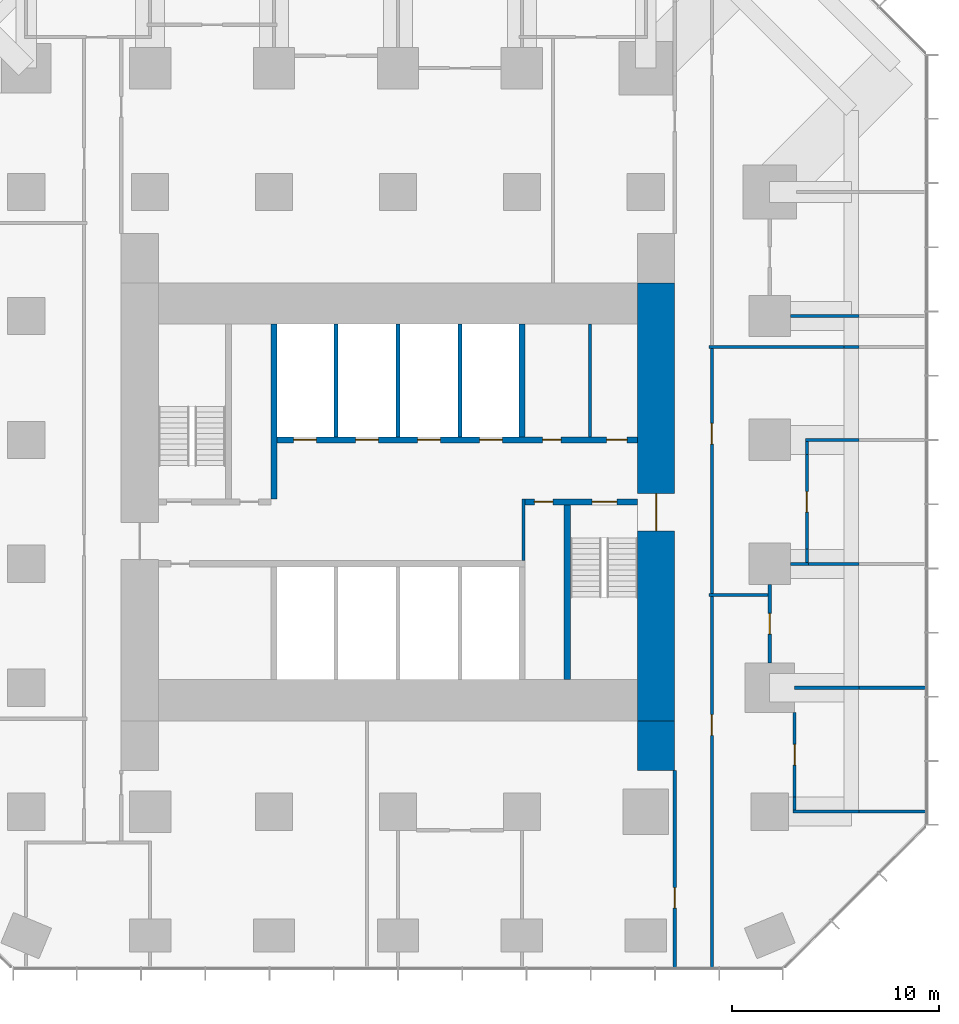
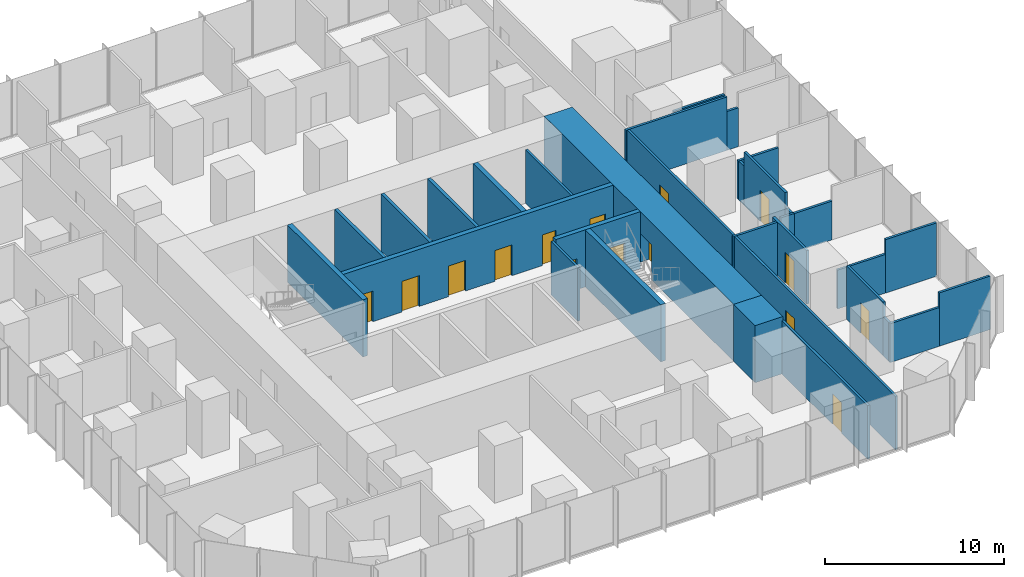
# One storey, part 9 of 12: 32 walls, 15 doors, 15 openings.
"""IFC4 building model written with IfcOpenShell, lengths in metres."""

from ifc_helpers import new_model, si_unit, direction, frame, frame_2d, origin, place, context, subcontext, project, spatial, rectangle, extrude, material, layer, layer_set, type_object, element, fill, save


model = new_model("IFC4")

# Units and contexts
model_context = context("Model", 3, precision=1e-05, world=origin(), true_north=direction((0.0, 1.0)))
body_context = subcontext(model_context, "Body", "Model", "MODEL_VIEW")
ifc_project = project(units=[si_unit("LENGTHUNIT", "METRE"), si_unit("AREAUNIT", "SQUARE_METRE"), si_unit("VOLUMEUNIT", "CUBIC_METRE"), si_unit("PLANEANGLEUNIT", "RADIAN"), si_unit("MASSUNIT", "GRAM", prefix="KILO")], contexts=[model_context])

# Site, building, storey
site_placement = place(None, origin())
site = spatial("IfcSite", under=ifc_project, at=site_placement, CompositionType="ELEMENT")
building_placement = place(site_placement, origin())
building = spatial("IfcBuilding", under=site, at=building_placement, Name="Highveld Stack Headquarters", CompositionType="ELEMENT")
storey_placement = place(building_placement, frame((0.0, 0.0, 80.60009765625)))
storey = spatial("IfcBuildingStorey", under=building, at=storey_placement, Name="L19", CompositionType="ELEMENT", Elevation=80.60009765625)

# Wall, opening, door
ifc_material_1 = material(Name="Concrete C60/75", Category="concrete")
ifc_layer_1 = layer(ifc_material_1, 1.800048828125)
ifc_layer_set_1 = layer_set([ifc_layer_1], Name="Concrete C60/75")
wall_type_1 = type_object("IfcWallType", Name="CORE WALL 1800 C60/75", PredefinedType="SHEAR", material=ifc_layer_set_1)
wall_1_placement = place(storey_placement, frame((18.5, -7.60009765625, 0.0), z_axis=(0.0, 0.0, 1.0), x_axis=(0.0, 1.0, 0.0)))
wall_1 = element("IfcWall", 1, at=wall_1_placement, inside=storey, type_object=wall_type_1, Name="Core wall E L19", PredefinedType="SHEAR", context=body_context, shape_type="SweptSolid", body=[
    extrude(rectangle(XDim=21.2001953125, YDim=1.800048828125, at=frame_2d((10.60009765625, 0.0))), origin(), (0.0, 0.0, 1.0), 3.89990234375),
])
opening_1_placement = place(wall_1_placement, frame((9.199951171875, 0.0, 0.0)))
opening_1 = element("IfcOpeningElement", 2, at=opening_1_placement, cuts=wall_1, Name="Opening L19-02", PredefinedType="OPENING", context=body_context, shape_type="SweptSolid", body=[
    extrude(rectangle(XDim=1.800048828125, YDim=2.39990234375, at=frame_2d((0.89990234375, 1.199951171875))), frame((0.0, 0.909912109375, 0.0), z_axis=(0.0, -1.0, 0.0), x_axis=(1.0, 0.0, 0.0)), (0.0, 0.0, 1.0), 1.820068359375),
])
ifc_material_2 = material(Name="Steel fire door", Category="steel")
door_type_1 = type_object("IfcDoorType", Name="LOBBY FIRE DOOR D4 1800x2400", OperationType="DOUBLE_DOOR_SINGLE_SWING", PredefinedType="DOOR", material=ifc_material_2)
door_1_placement = place(opening_1_placement, origin())
door_1 = element("IfcDoor", 3, at=door_1_placement, inside=storey, type_object=door_type_1, Name="Core east door L19", OperationType="DOUBLE_DOOR_SINGLE_SWING", OverallHeight=2.39990234375, OverallWidth=1.800048828125, PredefinedType="DOOR", context=body_context, shape_type="SweptSolid", body=[
    extrude(rectangle(XDim=1.800048828125, YDim=2.39990234375, at=frame_2d((0.89990234375, 1.199951171875))), frame((0.0, 0.02490234375, 0.0), z_axis=(0.0, -1.0, 0.0), x_axis=(1.0, 0.0, 0.0)), (0.0, 0.0, 1.0), 0.050048828125),
])
fill(opening_1, door_1)

# Wall, openings, doors
ifc_material_3 = material(Name="Concrete C60/75", Category="concrete")
ifc_layer_2 = layer(ifc_material_3, 0.300048828125)
ifc_layer_set_2 = layer_set([ifc_layer_2], Name="Concrete C60/75")
wall_type_2 = type_object("IfcWallType", Name="CORE WALL 300 C60/75", PredefinedType="SHEAR", material=ifc_layer_set_2)
wall_2_placement = place(storey_placement, frame((12.14990234375, 3.0, 0.0), z_axis=(0.0, 0.0, 1.0), x_axis=(1.0, 0.0, 0.0)))
wall_2 = element("IfcWall", 4, at=wall_2_placement, inside=storey, type_object=wall_type_2, Name="Core wall I-Y3E L19", PredefinedType="SHEAR", context=body_context, shape_type="SweptSolid", body=[
    extrude(rectangle(XDim=5.4501953125, YDim=0.300048828125, at=frame_2d((2.72509765625, 0.0))), origin(), (0.0, 0.0, 1.0), 3.89990234375),
])
opening_2_placement = place(wall_2_placement, frame((3.25, 0.0, 0.0)))
opening_2 = element("IfcOpeningElement", 5, at=opening_2_placement, cuts=wall_2, Name="Opening L19-05", PredefinedType="OPENING", context=body_context, shape_type="SweptSolid", body=[
    extrude(rectangle(XDim=1.199951171875, YDim=2.10009765625, at=frame_2d((0.60009765625, 1.050048828125))), frame((0.0, 0.159912109375, 0.0), z_axis=(0.0, -1.0, 0.0), x_axis=(1.0, 0.0, 0.0)), (0.0, 0.0, 1.0), 0.320068359375),
])
opening_3_placement = place(wall_2_placement, frame((0.449951171875, 0.0, 0.0)))
opening_3 = element("IfcOpeningElement", 6, at=opening_3_placement, cuts=wall_2, Name="Opening L19-06", PredefinedType="OPENING", context=body_context, shape_type="SweptSolid", body=[
    extrude(rectangle(XDim=0.89990234375, YDim=2.10009765625, at=frame_2d((0.449951171875, 1.050048828125))), frame((0.0, 0.159912109375, 0.0), z_axis=(0.0, -1.0, 0.0), x_axis=(1.0, 0.0, 0.0)), (0.0, 0.0, 1.0), 0.320068359375),
])
ifc_material_4 = material(Name="Steel fire door", Category="steel")
door_type_2 = type_object("IfcDoorType", Name="RISER ACCESS DOOR D5 900x2100", OperationType="SINGLE_SWING_LEFT", PredefinedType="DOOR", material=ifc_material_4)
door_2_placement = place(opening_3_placement, origin())
door_2 = element("IfcDoor", 7, at=door_2_placement, inside=storey, type_object=door_type_2, Name="Riser R2 door L19", OperationType="SINGLE_SWING_LEFT", OverallHeight=2.10009765625, OverallWidth=0.89990234375, PredefinedType="DOOR", context=body_context, shape_type="SweptSolid", body=[
    extrude(rectangle(XDim=0.89990234375, YDim=2.10009765625, at=frame_2d((0.449951171875, 1.050048828125))), frame((0.0, 0.02490234375, 0.0), z_axis=(0.0, -1.0, 0.0), x_axis=(1.0, 0.0, 0.0)), (0.0, 0.0, 1.0), 0.050048828125),
])
fill(opening_3, door_2)
ifc_material_5 = material(Name="Steel fire door", Category="steel")
door_type_3 = type_object("IfcDoorType", Name="STAIR FIRE DOOR D3 1200x2100", OperationType="SINGLE_SWING_LEFT", PredefinedType="DOOR", material=ifc_material_5)
door_3_placement = place(opening_2_placement, origin())
door_3 = element("IfcDoor", 8, at=door_3_placement, inside=storey, type_object=door_type_3, Name="Stair S2 door L19", OperationType="SINGLE_SWING_RIGHT", OverallHeight=2.10009765625, OverallWidth=1.199951171875, PredefinedType="DOOR", context=body_context, shape_type="SweptSolid", body=[
    extrude(rectangle(XDim=1.199951171875, YDim=2.10009765625, at=frame_2d((0.60009765625, 1.050048828125))), frame((0.0, 0.02490234375, 0.0), z_axis=(0.0, -1.0, 0.0), x_axis=(1.0, 0.0, 0.0)), (0.0, 0.0, 1.0), 0.050048828125),
])
fill(opening_2, door_3)

wall_3_placement = place(storey_placement, frame((-0.14990234375, 6.0, 0.0), z_axis=(0.0, 0.0, 1.0), x_axis=(1.0, 0.0, 0.0)))
wall_3 = element("IfcWall", 9, at=wall_3_placement, inside=storey, type_object=wall_type_2, Name="Core wall I-Y6 L19", PredefinedType="SHEAR", context=body_context, shape_type="SweptSolid", body=[
    extrude(rectangle(XDim=17.75, YDim=0.300048828125, at=frame_2d((8.875, 0.0))), origin(), (0.0, 0.0, 1.0), 3.89990234375),
])
opening_4_placement = place(wall_3_placement, frame((13.14990234375, 0.0, 0.0)))
opening_4 = element("IfcOpeningElement", 10, at=opening_4_placement, cuts=wall_3, Name="Opening L19-08", PredefinedType="OPENING", context=body_context, shape_type="SweptSolid", body=[
    extrude(rectangle(XDim=0.89990234375, YDim=2.10009765625, at=frame_2d((0.449951171875, 1.050048828125))), frame((0.0, 0.159912109375, 0.0), z_axis=(0.0, -1.0, 0.0), x_axis=(1.0, 0.0, 0.0)), (0.0, 0.0, 1.0), 0.320068359375),
])
opening_5_placement = place(wall_3_placement, frame((16.25, 0.0, 0.0)))
opening_5 = element("IfcOpeningElement", 11, at=opening_5_placement, cuts=wall_3, Name="Opening L19-09", PredefinedType="OPENING", context=body_context, shape_type="SweptSolid", body=[
    extrude(rectangle(XDim=1.0, YDim=2.10009765625, at=frame_2d((0.5, 1.050048828125))), frame((0.0, 0.159912109375, 0.0), z_axis=(0.0, -1.0, 0.0), x_axis=(1.0, 0.0, 0.0)), (0.0, 0.0, 1.0), 0.320068359375),
])
opening_6_placement = place(wall_3_placement, frame((1.10009765625, 0.0, 0.0)))
opening_6 = element("IfcOpeningElement", 12, at=opening_6_placement, cuts=wall_3, Name="Opening LD", PredefinedType="OPENING", context=body_context, shape_type="SweptSolid", body=[
    extrude(rectangle(XDim=1.10009765625, YDim=2.10009765625, at=frame_2d((0.550048828125, 1.050048828125))), frame((0.0, 0.159912109375, 0.0), z_axis=(0.0, -1.0, 0.0), x_axis=(1.0, 0.0, 0.0)), (0.0, 0.0, 1.0), 0.320068359375),
])
opening_7_placement = place(wall_3_placement, frame((4.10009765625, 0.0, 0.0)))
opening_7 = element("IfcOpeningElement", 13, at=opening_7_placement, cuts=wall_3, Name="Opening LD", PredefinedType="OPENING", context=body_context, shape_type="SweptSolid", body=[
    extrude(rectangle(XDim=1.10009765625, YDim=2.10009765625, at=frame_2d((0.550048828125, 1.050048828125))), frame((0.0, 0.159912109375, 0.0), z_axis=(0.0, -1.0, 0.0), x_axis=(1.0, 0.0, 0.0)), (0.0, 0.0, 1.0), 0.320068359375),
])
opening_8_placement = place(wall_3_placement, frame((7.10009765625, 0.0, 0.0)))
opening_8 = element("IfcOpeningElement", 14, at=opening_8_placement, cuts=wall_3, Name="Opening LD", PredefinedType="OPENING", context=body_context, shape_type="SweptSolid", body=[
    extrude(rectangle(XDim=1.10009765625, YDim=2.10009765625, at=frame_2d((0.550048828125, 1.050048828125))), frame((0.0, 0.159912109375, 0.0), z_axis=(0.0, -1.0, 0.0), x_axis=(1.0, 0.0, 0.0)), (0.0, 0.0, 1.0), 0.320068359375),
])
opening_9_placement = place(wall_3_placement, frame((10.10009765625, 0.0, 0.0)))
opening_9 = element("IfcOpeningElement", 15, at=opening_9_placement, cuts=wall_3, Name="Opening LD", PredefinedType="OPENING", context=body_context, shape_type="SweptSolid", body=[
    extrude(rectangle(XDim=1.10009765625, YDim=2.10009765625, at=frame_2d((0.550048828125, 1.050048828125))), frame((0.0, 0.159912109375, 0.0), z_axis=(0.0, -1.0, 0.0), x_axis=(1.0, 0.0, 0.0)), (0.0, 0.0, 1.0), 0.320068359375),
])
ifc_material_6 = material(Name="Timber door, painted", Category="wood")
door_type_4 = type_object("IfcDoorType", Name="ACCESSIBLE WC DOOR D2 1000x2100", OperationType="SINGLE_SWING_RIGHT", PredefinedType="DOOR", material=ifc_material_6)
door_4_placement = place(opening_5_placement, origin())
door_4 = element("IfcDoor", 16, at=door_4_placement, inside=storey, type_object=door_type_4, Name="Accessible WC door L19", OperationType="SINGLE_SWING_RIGHT", OverallHeight=2.10009765625, OverallWidth=1.0, PredefinedType="DOOR", context=body_context, shape_type="SweptSolid", body=[
    extrude(rectangle(XDim=1.0, YDim=2.10009765625, at=frame_2d((0.5, 1.050048828125))), frame((0.0, 0.02490234375, 0.0), z_axis=(0.0, -1.0, 0.0), x_axis=(1.0, 0.0, 0.0)), (0.0, 0.0, 1.0), 0.050048828125),
])
fill(opening_5, door_4)
ifc_material_7 = material(Name="Stainless steel lift landing door", Category="steel")
door_type_5 = type_object("IfcDoorType", Name="LIFT LANDING DOOR LD 1100x2100", OperationType="DOUBLE_DOOR_SLIDING", PredefinedType="USERDEFINED", material=ifc_material_7)
door_5_placement = place(opening_6_placement, origin())
door_5 = element("IfcDoor", 17, at=door_5_placement, inside=storey, type_object=door_type_5, Name="Lift landing door FF1 L19", ObjectType="LIFT LANDING DOOR", OperationType="DOUBLE_DOOR_SLIDING", OverallHeight=2.10009765625, OverallWidth=1.10009765625, PredefinedType="USERDEFINED", context=body_context, shape_type="SweptSolid", body=[
    extrude(rectangle(XDim=1.10009765625, YDim=2.10009765625, at=frame_2d((0.550048828125, 1.050048828125))), frame((0.0, 0.02490234375, 0.0), z_axis=(0.0, -1.0, 0.0), x_axis=(1.0, 0.0, 0.0)), (0.0, 0.0, 1.0), 0.050048828125),
])
fill(opening_6, door_5)
door_6_placement = place(opening_7_placement, origin())
door_6 = element("IfcDoor", 18, at=door_6_placement, inside=storey, type_object=door_type_5, Name="Lift landing door FF2 L19", ObjectType="LIFT LANDING DOOR", OperationType="DOUBLE_DOOR_SLIDING", OverallHeight=2.10009765625, OverallWidth=1.10009765625, PredefinedType="USERDEFINED", context=body_context, shape_type="SweptSolid", body=[
    extrude(rectangle(XDim=1.10009765625, YDim=2.10009765625, at=frame_2d((0.550048828125, 1.050048828125))), frame((0.0, 0.02490234375, 0.0), z_axis=(0.0, -1.0, 0.0), x_axis=(1.0, 0.0, 0.0)), (0.0, 0.0, 1.0), 0.050048828125),
])
fill(opening_7, door_6)
door_7_placement = place(opening_8_placement, origin())
door_7 = element("IfcDoor", 19, at=door_7_placement, inside=storey, type_object=door_type_5, Name="Lift landing door A1 L19", ObjectType="LIFT LANDING DOOR", OperationType="DOUBLE_DOOR_SLIDING", OverallHeight=2.10009765625, OverallWidth=1.10009765625, PredefinedType="USERDEFINED", context=body_context, shape_type="SweptSolid", body=[
    extrude(rectangle(XDim=1.10009765625, YDim=2.10009765625, at=frame_2d((0.550048828125, 1.050048828125))), frame((0.0, 0.02490234375, 0.0), z_axis=(0.0, -1.0, 0.0), x_axis=(1.0, 0.0, 0.0)), (0.0, 0.0, 1.0), 0.050048828125),
])
fill(opening_8, door_7)
door_8_placement = place(opening_9_placement, origin())
door_8 = element("IfcDoor", 20, at=door_8_placement, inside=storey, type_object=door_type_5, Name="Lift landing door A2 L19", ObjectType="LIFT LANDING DOOR", OperationType="DOUBLE_DOOR_SLIDING", OverallHeight=2.10009765625, OverallWidth=1.10009765625, PredefinedType="USERDEFINED", context=body_context, shape_type="SweptSolid", body=[
    extrude(rectangle(XDim=1.10009765625, YDim=2.10009765625, at=frame_2d((0.550048828125, 1.050048828125))), frame((0.0, 0.02490234375, 0.0), z_axis=(0.0, -1.0, 0.0), x_axis=(1.0, 0.0, 0.0)), (0.0, 0.0, 1.0), 0.050048828125),
])
fill(opening_9, door_8)
ifc_material_8 = material(Name="Timber door, painted", Category="wood")
door_type_6 = type_object("IfcDoorType", Name="WC DOOR D1 900x2100", OperationType="SINGLE_SWING_LEFT", PredefinedType="DOOR", material=ifc_material_8)
door_9_placement = place(opening_4_placement, origin())
door_9 = element("IfcDoor", 21, at=door_9_placement, inside=storey, type_object=door_type_6, Name="Male WC door L19", OperationType="SINGLE_SWING_RIGHT", OverallHeight=2.10009765625, OverallWidth=0.89990234375, PredefinedType="DOOR", context=body_context, shape_type="SweptSolid", body=[
    extrude(rectangle(XDim=0.89990234375, YDim=2.10009765625, at=frame_2d((0.449951171875, 1.050048828125))), frame((0.0, 0.02490234375, 0.0), z_axis=(0.0, -1.0, 0.0), x_axis=(1.0, 0.0, 0.0)), (0.0, 0.0, 1.0), 0.050048828125),
])
fill(opening_4, door_9)

# Walls
wall_4_placement = place(storey_placement, frame((0.0, 3.14990234375, 0.0), z_axis=(0.0, 0.0, 1.0), x_axis=(0.0, 1.0, 0.0)))
element("IfcWall", 22, at=wall_4_placement, inside=storey, type_object=wall_type_2, Name="Core wall I-X0N L19", PredefinedType="SHEAR", context=body_context, shape_type="SweptSolid", body=[
    extrude(rectangle(XDim=8.4501953125, YDim=0.300048828125, at=frame_2d((4.22509765625, 0.0))), origin(), (0.0, 0.0, 1.0), 3.89990234375),
])
wall_5_placement = place(storey_placement, frame((12.0, 6.14990234375, 0.0), z_axis=(0.0, 0.0, 1.0), x_axis=(0.0, 1.0, 0.0)))
element("IfcWall", 23, at=wall_5_placement, inside=storey, type_object=wall_type_2, Name="Core wall I-X12N L19", PredefinedType="SHEAR", context=body_context, shape_type="SweptSolid", body=[
    extrude(rectangle(XDim=5.4501953125, YDim=0.300048828125, at=frame_2d((2.72509765625, 0.0))), origin(), (0.0, 0.0, 1.0), 3.89990234375),
])
wall_6_placement = place(storey_placement, frame((14.199951171875, -5.60009765625, 0.0), z_axis=(0.0, 0.0, 1.0), x_axis=(0.0, 1.0, 0.0)))
element("IfcWall", 24, at=wall_6_placement, inside=storey, type_object=wall_type_2, Name="Core wall I-RE L19", PredefinedType="SHEAR", context=body_context, shape_type="SweptSolid", body=[
    extrude(rectangle(XDim=8.4501953125, YDim=0.300048828125, at=frame_2d((4.22509765625, 0.0))), origin(), (0.0, 0.0, 1.0), 3.89990234375),
])
ifc_material_9 = material(Name="Concrete C60/75", Category="concrete")
ifc_layer_3 = layer(ifc_material_9, 1.800048828125)
ifc_layer_set_3 = layer_set([ifc_layer_3], Name="Concrete C60/75")
wall_type_3 = type_object("IfcWallType", Name="CORE WING WALL 1800 C60/75", PredefinedType="SHEAR", material=ifc_layer_set_3)
wall_7_placement = place(storey_placement, frame((18.5, -10.0, 0.0), z_axis=(0.0, 0.0, 1.0), x_axis=(0.0, 1.0, 0.0)))
element("IfcWall", 25, at=wall_7_placement, inside=storey, type_object=wall_type_3, Name="Core wing wall ES L19", PredefinedType="SHEAR", context=body_context, shape_type="SweptSolid", body=[
    extrude(rectangle(XDim=2.39990234375, YDim=1.800048828125, at=frame_2d((1.199951171875, 0.0))), origin(), (0.0, 0.0, 1.0), 3.89990234375),
])
ifc_material_10 = material(Name="Concrete blockwork, plastered", Category="masonry")
ifc_layer_4 = layer(ifc_material_10, 0.14990234375)
ifc_layer_set_4 = layer_set([ifc_layer_4], Name="Concrete blockwork, plastered")
wall_type_4 = type_object("IfcWallType", Name="FIRE PARTITION 150 BLOCKWORK", PredefinedType="PARTITIONING", material=ifc_layer_set_4)
wall_8_placement = place(storey_placement, frame((12.074951171875, 0.14990234375, 0.0), z_axis=(0.0, 0.0, 1.0), x_axis=(0.0, 1.0, 0.0)))
element("IfcWall", 26, at=wall_8_placement, inside=storey, type_object=wall_type_4, Name="Riser R2 enclosure L19", PredefinedType="PARTITIONING", context=body_context, shape_type="SweptSolid", body=[
    extrude(rectangle(XDim=3.0, YDim=0.14990234375, at=frame_2d((1.5, 0.0))), origin(), (0.0, 0.0, 1.0), 3.64990234375),
])

# Wall, opening, door
ifc_material_11 = material(Name="Laminated glass in aluminium frame", Category="aluminium")
ifc_layer_5 = layer(ifc_material_11, 0.14990234375)
ifc_layer_set_5 = layer_set([ifc_layer_5], Name="Laminated glass in aluminium frame")
wall_type_5 = type_object("IfcWallType", Name="GLAZED PARTITION 150", PredefinedType="PARTITIONING", material=ifc_layer_set_5)
wall_9_placement = place(storey_placement, frame((24.0, -4.800048828125, 0.0), z_axis=(0.0, 0.0, 1.0), x_axis=(0.0, 1.0, 0.0)))
wall_9 = element("IfcWall", 27, at=wall_9_placement, inside=storey, type_object=wall_type_5, Name="Glazed partition Meeting room L19", PredefinedType="PARTITIONING", context=body_context, shape_type="SweptSolid", body=[
    extrude(rectangle(XDim=3.800048828125, YDim=0.14990234375, at=frame_2d((1.89990234375, 0.0))), origin(), (0.0, 0.0, 1.0), 3.64990234375),
])
opening_10_placement = place(wall_9_placement, frame((1.39990234375, 0.0, 0.0)))
opening_10 = element("IfcOpeningElement", 28, at=opening_10_placement, cuts=wall_9, Name="Opening L19-16", PredefinedType="OPENING", context=body_context, shape_type="SweptSolid", body=[
    extrude(rectangle(XDim=1.0, YDim=2.10009765625, at=frame_2d((0.5, 1.050048828125))), frame((0.0, 0.0849609375, 0.0), z_axis=(0.0, -1.0, 0.0), x_axis=(1.0, 0.0, 0.0)), (0.0, 0.0, 1.0), 0.169921875),
])
ifc_material_12 = material(Name="Timber door, oiled ash", Category="wood")
door_type_7 = type_object("IfcDoorType", Name="ROOM DOOR D6 1000x2100", OperationType="SINGLE_SWING_LEFT", PredefinedType="DOOR", material=ifc_material_12)
door_10_placement = place(opening_10_placement, origin())
door_10 = element("IfcDoor", 29, at=door_10_placement, inside=storey, type_object=door_type_7, Name="Meeting room door 1 L19", OperationType="SINGLE_SWING_LEFT", OverallHeight=2.10009765625, OverallWidth=1.0, PredefinedType="DOOR", context=body_context, shape_type="SweptSolid", body=[
    extrude(rectangle(XDim=1.0, YDim=2.10009765625, at=frame_2d((0.5, 1.050048828125))), frame((0.0, 0.02490234375, 0.0), z_axis=(0.0, -1.0, 0.0), x_axis=(1.0, 0.0, 0.0)), (0.0, 0.0, 1.0), 0.050048828125),
])
fill(opening_10, door_10)

# Walls
ifc_material_13 = material(Name="Concrete blockwork, fair-faced", Category="masonry")
ifc_layer_6 = layer(ifc_material_13, 0.199951171875)
ifc_layer_set_6 = layer_set([ifc_layer_6], Name="Concrete blockwork, fair-faced")
wall_type_6 = type_object("IfcWallType", Name="LIFT SHAFT ENCLOSURE WALL 200 BLOCKWORK", PredefinedType="SOLIDWALL", material=ifc_layer_set_6)
for number, where, z_axis, x_axis, name in (
    (30, (3.0, 6.14990234375, 0.0), (0.0, 0.0, 1.0), (0.0, 1.0, 0.0), "Lift shaft wall L19"),
    (31, (6.0, 6.14990234375, 0.0), (0.0, 0.0, 1.0), (0.0, 1.0, 0.0), "Lift shaft wall L19"),
    (32, (9.0, 6.14990234375, 0.0), (0.0, 0.0, 1.0), (0.0, 1.0, 0.0), "Lift shaft wall L19"),
):
    element("IfcWall", number, at=place(storey_placement, frame(where, z_axis=z_axis, x_axis=x_axis)), inside=storey, type_object=wall_type_6, Name=name, PredefinedType="SOLIDWALL", context=body_context, shape_type="SweptSolid", body=[
        extrude(rectangle(XDim=5.4501953125, YDim=0.199951171875, at=frame_2d((2.72509765625, 0.0))), origin(), (0.0, 0.0, 1.0), 3.89990234375),
    ])
ifc_material_14 = material(Name="Gypsum plasterboard on steel studs", Category="steel")
ifc_layer_7 = layer(ifc_material_14, 0.14990234375)
ifc_layer_set_7 = layer_set([ifc_layer_7], Name="Gypsum plasterboard on steel studs")
wall_type_7 = type_object("IfcWallType", Name="PARTITION 150 PLASTERBOARD", PredefinedType="PARTITIONING", material=ifc_layer_set_7)
wall_10_placement = place(storey_placement, frame((25.125, -12.0, 0.0), z_axis=(0.0, 0.0, 1.0), x_axis=(1.0, 0.0, 0.0)))
element("IfcWall", 33, at=wall_10_placement, inside=storey, type_object=wall_type_7, Name="Partition Tea kitchen L19", PredefinedType="PARTITIONING", context=body_context, shape_type="SweptSolid", body=[
    extrude(rectangle(XDim=3.18505859375, YDim=0.14990234375, at=frame_2d((1.592529296875, 0.0))), origin(), (0.0, 0.0, 1.0), 2.64990234375),
])
wall_11_placement = place(storey_placement, frame((28.31005859375, -12.0, 0.0), z_axis=(0.0, 0.0, 1.0), x_axis=(1.0, 0.0, 0.0)))
element("IfcWall", 34, at=wall_11_placement, inside=storey, type_object=wall_type_7, Name="Partition Tea kitchen L19", PredefinedType="PARTITIONING", context=body_context, shape_type="SweptSolid", body=[
    extrude(rectangle(XDim=3.2900390625, YDim=0.14990234375, at=frame_2d((1.64501953125, 0.0))), origin(), (0.0, 0.0, 1.0), 3.64990234375),
])
wall_12_placement = place(storey_placement, frame((25.199951171875, -6.0, 0.0), z_axis=(0.0, 0.0, 1.0), x_axis=(1.0, 0.0, 0.0)))
element("IfcWall", 35, at=wall_12_placement, inside=storey, type_object=wall_type_7, Name="Partition Meeting room / Tea kitchen L19", PredefinedType="PARTITIONING", context=body_context, shape_type="SweptSolid", body=[
    extrude(rectangle(XDim=3.110107421875, YDim=0.14990234375, at=frame_2d((1.55517578125, 0.0))), origin(), (0.0, 0.0, 1.0), 2.64990234375),
])
wall_13_placement = place(storey_placement, frame((28.31005859375, -6.0, 0.0), z_axis=(0.0, 0.0, 1.0), x_axis=(1.0, 0.0, 0.0)))
element("IfcWall", 36, at=wall_13_placement, inside=storey, type_object=wall_type_7, Name="Partition Meeting room / Tea kitchen L19", PredefinedType="PARTITIONING", context=body_context, shape_type="SweptSolid", body=[
    extrude(rectangle(XDim=3.2900390625, YDim=0.14990234375, at=frame_2d((1.64501953125, 0.0))), origin(), (0.0, 0.0, 1.0), 3.64990234375),
])
wall_14_placement = place(storey_placement, frame((25.0, 0.0, 0.0), z_axis=(0.0, 0.0, 1.0), x_axis=(1.0, 0.0, 0.0)))
element("IfcWall", 37, at=wall_14_placement, inside=storey, type_object=wall_type_7, Name="Partition Meeting room L19", PredefinedType="PARTITIONING", context=body_context, shape_type="SweptSolid", body=[
    extrude(rectangle(XDim=0.875, YDim=0.14990234375, at=frame_2d((0.4375, 0.0))), origin(), (0.0, 0.0, 1.0), 2.64990234375),
])
wall_15_placement = place(storey_placement, frame((25.800048828125, 0.0, 0.0), z_axis=(0.0, 0.0, 1.0), x_axis=(1.0, 0.0, 0.0)))
element("IfcWall", 38, at=wall_15_placement, inside=storey, type_object=wall_type_7, Name="Partition Meeting room / Print room L19", PredefinedType="PARTITIONING", context=body_context, shape_type="SweptSolid", body=[
    extrude(rectangle(XDim=2.510009765625, YDim=0.14990234375, at=frame_2d((1.2548828125, 0.0))), origin(), (0.0, 0.0, 1.0), 2.64990234375),
])
wall_16_placement = place(storey_placement, frame((25.72509765625, 6.0, 0.0), z_axis=(0.0, 0.0, 1.0), x_axis=(1.0, 0.0, 0.0)))
element("IfcWall", 39, at=wall_16_placement, inside=storey, type_object=wall_type_7, Name="Partition Print room L19", PredefinedType="PARTITIONING", context=body_context, shape_type="SweptSolid", body=[
    extrude(rectangle(XDim=2.5849609375, YDim=0.14990234375, at=frame_2d((1.29248046875, 0.0))), origin(), (0.0, 0.0, 1.0), 2.64990234375),
])
wall_17_placement = place(storey_placement, frame((25.0, 12.0, 0.0), z_axis=(0.0, 0.0, 1.0), x_axis=(1.0, 0.0, 0.0)))
element("IfcWall", 40, at=wall_17_placement, inside=storey, type_object=wall_type_7, Name="Partition Office L19", PredefinedType="PARTITIONING", context=body_context, shape_type="SweptSolid", body=[
    extrude(rectangle(XDim=3.31005859375, YDim=0.14990234375, at=frame_2d((1.655029296875, 0.0))), origin(), (0.0, 0.0, 1.0), 2.64990234375),
])
wall_18_placement = place(storey_placement, frame((25.199951171875, -11.925048828125, 0.0), z_axis=(0.0, 0.0, 1.0), x_axis=(0.0, 1.0, 0.0)))
element("IfcWall", 41, at=wall_18_placement, inside=storey, type_object=wall_type_7, Name="Partition Tea kitchen L19", PredefinedType="PARTITIONING", context=body_context, shape_type="SweptSolid", body=[
    extrude(rectangle(XDim=0.635009765625, YDim=0.14990234375, at=frame_2d((0.3173828125, 0.0))), origin(), (0.0, 0.0, 1.0), 2.64990234375),
])

# Wall, opening, door
wall_19_placement = place(storey_placement, frame((25.199951171875, -11.2900390625, 0.0), z_axis=(0.0, 0.0, 1.0), x_axis=(0.0, 1.0, 0.0)))
wall_19 = element("IfcWall", 42, at=wall_19_placement, inside=storey, type_object=wall_type_7, Name="Partition Tea kitchen L19", PredefinedType="PARTITIONING", context=body_context, shape_type="SweptSolid", body=[
    extrude(rectangle(XDim=4.090087890625, YDim=0.14990234375, at=frame_2d((2.044921875, 0.0))), origin(), (0.0, 0.0, 1.0), 3.64990234375),
])
opening_11_placement = place(wall_19_placement, frame((1.544921875, 0.0, 0.0)))
opening_11 = element("IfcOpeningElement", 43, at=opening_11_placement, cuts=wall_19, Name="Opening L19-15", PredefinedType="OPENING", context=body_context, shape_type="SweptSolid", body=[
    extrude(rectangle(XDim=1.0, YDim=2.10009765625, at=frame_2d((0.5, 1.050048828125))), frame((0.0, 0.0849609375, 0.0), z_axis=(0.0, -1.0, 0.0), x_axis=(1.0, 0.0, 0.0)), (0.0, 0.0, 1.0), 0.169921875),
])
door_11_placement = place(opening_11_placement, origin())
door_11 = element("IfcDoor", 44, at=door_11_placement, inside=storey, type_object=door_type_7, Name="Tea kitchen door 1 L19", OperationType="SINGLE_SWING_LEFT", OverallHeight=2.10009765625, OverallWidth=1.0, PredefinedType="DOOR", context=body_context, shape_type="SweptSolid", body=[
    extrude(rectangle(XDim=1.0, YDim=2.10009765625, at=frame_2d((0.5, 1.050048828125))), frame((0.0, 0.02490234375, 0.0), z_axis=(0.0, -1.0, 0.0), x_axis=(1.0, 0.0, 0.0)), (0.0, 0.0, 1.0), 0.050048828125),
])
fill(opening_11, door_11)

# Wall
wall_20_placement = place(storey_placement, frame((25.800048828125, 0.074951171875, 0.0), z_axis=(0.0, 0.0, 1.0), x_axis=(0.0, 1.0, 0.0)))
element("IfcWall", 45, at=wall_20_placement, inside=storey, type_object=wall_type_7, Name="Partition Print room L19", PredefinedType="PARTITIONING", context=body_context, shape_type="SweptSolid", body=[
    extrude(rectangle(XDim=0.635009765625, YDim=0.14990234375, at=frame_2d((0.3173828125, 0.0))), origin(), (0.0, 0.0, 1.0), 2.64990234375),
])

# Wall, opening, door
wall_21_placement = place(storey_placement, frame((25.800048828125, 0.7099609375, 0.0), z_axis=(0.0, 0.0, 1.0), x_axis=(0.0, 1.0, 0.0)))
wall_21 = element("IfcWall", 46, at=wall_21_placement, inside=storey, type_object=wall_type_7, Name="Partition Print room L19", PredefinedType="PARTITIONING", context=body_context, shape_type="SweptSolid", body=[
    extrude(rectangle(XDim=4.580078125, YDim=0.14990234375, at=frame_2d((2.2900390625, 0.0))), origin(), (0.0, 0.0, 1.0), 3.64990234375),
])
opening_12_placement = place(wall_21_placement, frame((1.7900390625, 0.0, 0.0)))
opening_12 = element("IfcOpeningElement", 47, at=opening_12_placement, cuts=wall_21, Name="Opening L19-17", PredefinedType="OPENING", context=body_context, shape_type="SweptSolid", body=[
    extrude(rectangle(XDim=1.0, YDim=2.10009765625, at=frame_2d((0.5, 1.050048828125))), frame((0.0, 0.0849609375, 0.0), z_axis=(0.0, -1.0, 0.0), x_axis=(1.0, 0.0, 0.0)), (0.0, 0.0, 1.0), 0.169921875),
])
door_12_placement = place(opening_12_placement, origin())
door_12 = element("IfcDoor", 48, at=door_12_placement, inside=storey, type_object=door_type_7, Name="Print room door 1 L19", OperationType="SINGLE_SWING_RIGHT", OverallHeight=2.10009765625, OverallWidth=1.0, PredefinedType="DOOR", context=body_context, shape_type="SweptSolid", body=[
    extrude(rectangle(XDim=1.0, YDim=2.10009765625, at=frame_2d((0.5, 1.050048828125))), frame((0.0, 0.02490234375, 0.0), z_axis=(0.0, -1.0, 0.0), x_axis=(1.0, 0.0, 0.0)), (0.0, 0.0, 1.0), 0.050048828125),
])
fill(opening_12, door_12)

# Wall
wall_22_placement = place(storey_placement, frame((25.800048828125, 5.2900390625, 0.0), z_axis=(0.0, 0.0, 1.0), x_axis=(0.0, 1.0, 0.0)))
element("IfcWall", 49, at=wall_22_placement, inside=storey, type_object=wall_type_7, Name="Partition Print room L19", PredefinedType="PARTITIONING", context=body_context, shape_type="SweptSolid", body=[
    extrude(rectangle(XDim=0.635009765625, YDim=0.14990234375, at=frame_2d((0.3173828125, 0.0))), origin(), (0.0, 0.0, 1.0), 2.64990234375),
])

# Wall, opening, door
wall_23_placement = place(storey_placement, frame((19.39990234375, -19.60009765625, 0.0), z_axis=(0.0, 0.0, 1.0), x_axis=(0.0, 1.0, 0.0)))
wall_23 = element("IfcWall", 50, at=wall_23_placement, inside=storey, type_object=wall_type_7, Name="Partition office neighbourhood L19", PredefinedType="PARTITIONING", context=body_context, shape_type="SweptSolid", body=[
    extrude(rectangle(XDim=9.60009765625, YDim=0.14990234375, at=frame_2d((4.800048828125, 0.0))), origin(), (0.0, 0.0, 1.0), 3.64990234375),
])
opening_13_placement = place(wall_23_placement, frame((2.925048828125, 0.0, 0.0)))
opening_13 = element("IfcOpeningElement", 51, at=opening_13_placement, cuts=wall_23, Name="Opening L19-24", PredefinedType="OPENING", context=body_context, shape_type="SweptSolid", body=[
    extrude(rectangle(XDim=1.0, YDim=2.10009765625, at=frame_2d((0.5, 1.050048828125))), frame((0.0, 0.0849609375, 0.0), z_axis=(0.0, -1.0, 0.0), x_axis=(1.0, 0.0, 0.0)), (0.0, 0.0, 1.0), 0.169921875),
])
door_13_placement = place(opening_13_placement, origin())
door_13 = element("IfcDoor", 52, at=door_13_placement, inside=storey, type_object=door_type_7, Name="Office neighbourhood door L19", OperationType="SINGLE_SWING_LEFT", OverallHeight=2.10009765625, OverallWidth=1.0, PredefinedType="DOOR", context=body_context, shape_type="SweptSolid", body=[
    extrude(rectangle(XDim=1.0, YDim=2.10009765625, at=frame_2d((0.5, 1.050048828125))), frame((0.0, 0.02490234375, 0.0), z_axis=(0.0, -1.0, 0.0), x_axis=(1.0, 0.0, 0.0)), (0.0, 0.0, 1.0), 0.050048828125),
])
fill(opening_13, door_13)

wall_24_placement = place(storey_placement, frame((21.199951171875, -19.60009765625, 0.0), z_axis=(0.0, 0.0, 1.0), x_axis=(0.0, 1.0, 0.0)))
wall_24 = element("IfcWall", 53, at=wall_24_placement, inside=storey, type_object=wall_type_7, Name="Partition office neighbourhood L19", PredefinedType="PARTITIONING", context=body_context, shape_type="SweptSolid", body=[
    extrude(rectangle(XDim=18.025146484375, YDim=0.14990234375, at=frame_2d((9.0126953125, 0.0))), origin(), (0.0, 0.0, 1.0), 3.64990234375),
])
opening_14_placement = place(wall_24_placement, frame((11.300048828125, 0.0, 0.0)))
opening_14 = element("IfcOpeningElement", 54, at=opening_14_placement, cuts=wall_24, Name="Opening L19-25", PredefinedType="OPENING", context=body_context, shape_type="SweptSolid", body=[
    extrude(rectangle(XDim=1.0, YDim=2.10009765625, at=frame_2d((0.5, 1.050048828125))), frame((0.0, 0.0849609375, 0.0), z_axis=(0.0, -1.0, 0.0), x_axis=(1.0, 0.0, 0.0)), (0.0, 0.0, 1.0), 0.169921875),
])
door_14_placement = place(opening_14_placement, origin())
door_14 = element("IfcDoor", 55, at=door_14_placement, inside=storey, type_object=door_type_7, Name="Office neighbourhood door L19", OperationType="SINGLE_SWING_RIGHT", OverallHeight=2.10009765625, OverallWidth=1.0, PredefinedType="DOOR", context=body_context, shape_type="SweptSolid", body=[
    extrude(rectangle(XDim=1.0, YDim=2.10009765625, at=frame_2d((0.5, 1.050048828125))), frame((0.0, 0.02490234375, 0.0), z_axis=(0.0, -1.0, 0.0), x_axis=(1.0, 0.0, 0.0)), (0.0, 0.0, 1.0), 0.050048828125),
])
fill(opening_14, door_14)

wall_25_placement = place(storey_placement, frame((21.199951171875, -1.425048828125, 0.0), z_axis=(0.0, 0.0, 1.0), x_axis=(0.0, 1.0, 0.0)))
wall_25 = element("IfcWall", 56, at=wall_25_placement, inside=storey, type_object=wall_type_7, Name="Partition office neighbourhood L19", PredefinedType="PARTITIONING", context=body_context, shape_type="SweptSolid", body=[
    extrude(rectangle(XDim=11.85009765625, YDim=0.14990234375, at=frame_2d((5.925048828125, 0.0))), origin(), (0.0, 0.0, 1.0), 3.64990234375),
])
opening_15_placement = place(wall_25_placement, frame((7.22509765625, 0.0, 0.0)))
opening_15 = element("IfcOpeningElement", 57, at=opening_15_placement, cuts=wall_25, Name="Opening L19-28", PredefinedType="OPENING", context=body_context, shape_type="SweptSolid", body=[
    extrude(rectangle(XDim=1.0, YDim=2.10009765625, at=frame_2d((0.5, 1.050048828125))), frame((0.0, 0.0849609375, 0.0), z_axis=(0.0, -1.0, 0.0), x_axis=(1.0, 0.0, 0.0)), (0.0, 0.0, 1.0), 0.169921875),
])
door_15_placement = place(opening_15_placement, origin())
door_15 = element("IfcDoor", 58, at=door_15_placement, inside=storey, type_object=door_type_7, Name="Office neighbourhood door L19", OperationType="SINGLE_SWING_RIGHT", OverallHeight=2.10009765625, OverallWidth=1.0, PredefinedType="DOOR", context=body_context, shape_type="SweptSolid", body=[
    extrude(rectangle(XDim=1.0, YDim=2.10009765625, at=frame_2d((0.5, 1.050048828125))), frame((0.0, 0.02490234375, 0.0), z_axis=(0.0, -1.0, 0.0), x_axis=(1.0, 0.0, 0.0)), (0.0, 0.0, 1.0), 0.050048828125),
])
fill(opening_15, door_15)

# Walls
wall_26_placement = place(storey_placement, frame((21.050048828125, -1.5, 0.0), z_axis=(0.0, 0.0, 1.0), x_axis=(1.0, 0.0, 0.0)))
element("IfcWall", 59, at=wall_26_placement, inside=storey, type_object=wall_type_7, Name="Partition office neighbourhood L19", PredefinedType="PARTITIONING", context=body_context, shape_type="SweptSolid", body=[
    extrude(rectangle(XDim=2.875, YDim=0.14990234375, at=frame_2d((1.4375, 0.0))), origin(), (0.0, 0.0, 1.0), 3.64990234375),
])
wall_27_placement = place(storey_placement, frame((21.050048828125, 10.5, 0.0), z_axis=(0.0, 0.0, 1.0), x_axis=(1.0, 0.0, 0.0)))
element("IfcWall", 60, at=wall_27_placement, inside=storey, type_object=wall_type_7, Name="Partition office neighbourhood L19", PredefinedType="PARTITIONING", context=body_context, shape_type="SweptSolid", body=[
    extrude(rectangle(XDim=6.5400390625, YDim=0.14990234375, at=frame_2d((3.27001953125, 0.0))), origin(), (0.0, 0.0, 1.0), 3.64990234375),
])
wall_28_placement = place(storey_placement, frame((27.590087890625, 10.5, 0.0), z_axis=(0.0, 0.0, 1.0), x_axis=(1.0, 0.0, 0.0)))
element("IfcWall", 61, at=wall_28_placement, inside=storey, type_object=wall_type_7, Name="Partition office neighbourhood L19", PredefinedType="PARTITIONING", context=body_context, shape_type="SweptSolid", body=[
    extrude(rectangle(XDim=0.719970703125, YDim=0.14990234375, at=frame_2d((0.35986328125, 0.0))), origin(), (0.0, 0.0, 1.0), 2.64990234375),
])
ifc_material_15 = material(Name="Concrete blockwork, tiled", Category="masonry")
ifc_layer_8 = layer(ifc_material_15, 0.14990234375)
ifc_layer_set_8 = layer_set([ifc_layer_8], Name="Concrete blockwork, tiled")
wall_type_8 = type_object("IfcWallType", Name="WC PARTITION 150", PredefinedType="PLUMBINGWALL", material=ifc_layer_set_8)
wall_29_placement = place(storey_placement, frame((15.300048828125, 6.14990234375, 0.0), z_axis=(0.0, 0.0, 1.0), x_axis=(0.0, 1.0, 0.0)))
element("IfcWall", 62, at=wall_29_placement, inside=storey, type_object=wall_type_8, Name="Toilet partition L19", PredefinedType="PLUMBINGWALL", context=body_context, shape_type="SweptSolid", body=[
    extrude(rectangle(XDim=5.4501953125, YDim=0.14990234375, at=frame_2d((2.72509765625, 0.0))), origin(), (0.0, 0.0, 1.0), 3.64990234375),
])

save(model, "model.ifc")
